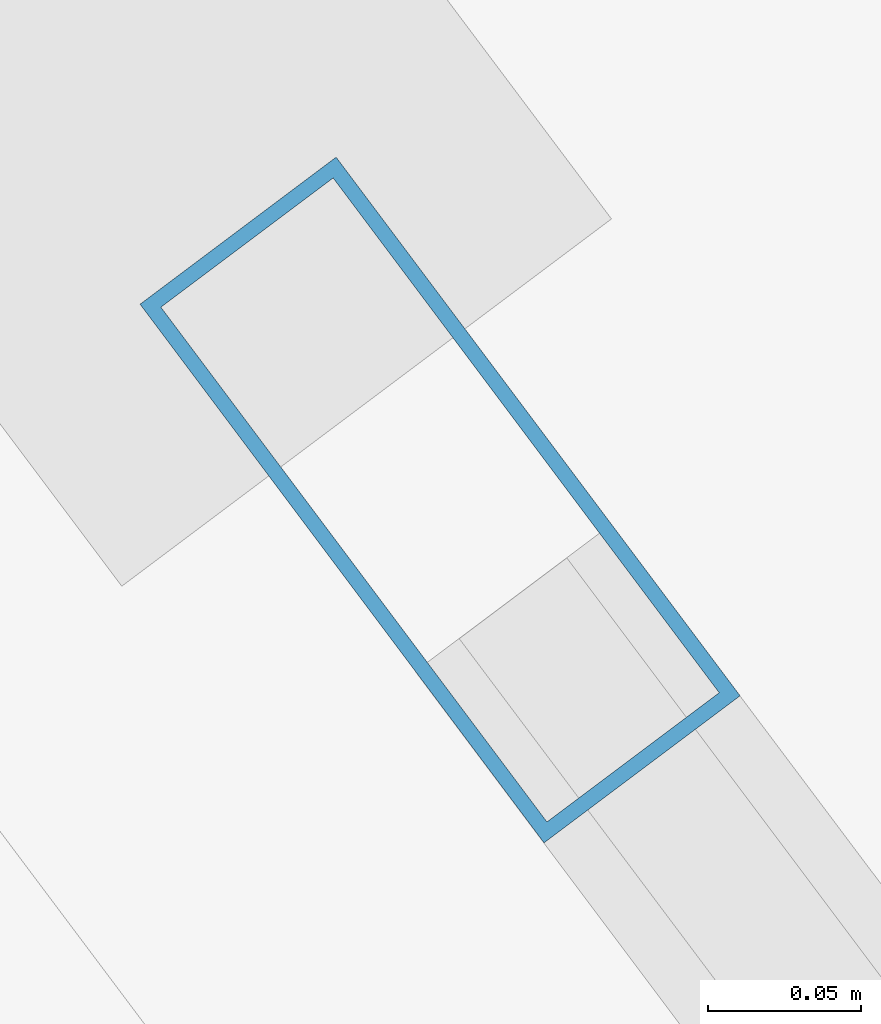
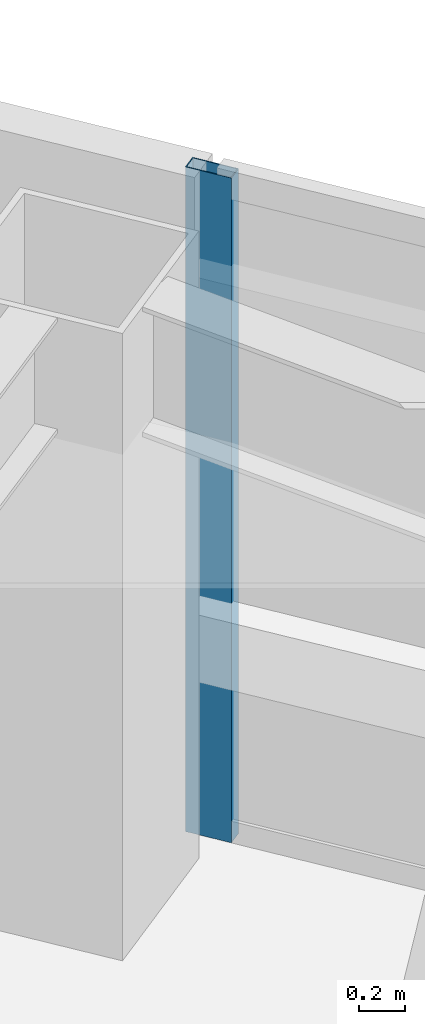
# One storey, part 32 of 46: 1 member, 1 element without a shape of its own.
"""IFC4 building model written with IfcOpenShell, lengths in metres."""

from ifc_helpers import new_model, si_unit, direction, frame, origin, origin_2d, place, context, subcontext, project, spatial, hollow_rectangle, extrude, material, material_profile, profile_set, type_object, element, aggregate, save


model = new_model("IFC4")

# Units and contexts
model_context = context("Model", 3, precision=1e-05, world=origin(), true_north=direction((0.0, 1.0)))
body_context = subcontext(model_context, "Body", "Model", "MODEL_VIEW")
ifc_project = project(units=[si_unit("LENGTHUNIT", "METRE"), si_unit("AREAUNIT", "SQUARE_METRE"), si_unit("VOLUMEUNIT", "CUBIC_METRE"), si_unit("PLANEANGLEUNIT", "RADIAN"), si_unit("MASSUNIT", "GRAM", prefix="KILO")], contexts=[model_context])

# Site, building, storey
site_placement = place(None, origin())
site = spatial("IfcSite", under=ifc_project, at=site_placement, CompositionType="ELEMENT")
building_placement = place(site_placement, origin())
building = spatial("IfcBuilding", under=site, at=building_placement, Name="Tashvorn Skyway Center", CompositionType="ELEMENT")
storey_placement = place(building_placement, frame((0.0, 0.0, 99.14990234375)))
storey = spatial("IfcBuildingStorey", under=building, at=storey_placement, Name="L26", CompositionType="ELEMENT", Elevation=99.14990234375)

# Curtain wall, member
ifc_material = material(Name="Thermally broken bronze-anodized aluminium 6063-T6", Category="aluminium")
curtain_wall_type = type_object("IfcCurtainWallType", Name="CW-CW-Z2", PredefinedType="NOTDEFINED", material=ifc_material)
curtain_wall_placement = place(storey_placement, origin())
curtain_wall = element("IfcCurtainWall", 1, at=curtain_wall_placement, inside=storey, type_object=curtain_wall_type, Name="Tower 2 L26 East Unitised Curtain Wall Glazing Group 3", PredefinedType="NOTDEFINED")
ifc_material_profile = material_profile(ifc_material, hollow_rectangle(XDim=0.080078125, YDim=0.219970703125, WallThickness=0.0048828125, at=origin_2d()), Name="ALU-MULL-80x220")
ifc_profile_set = profile_set([ifc_material_profile], Name="Thermally broken bronze-anodized aluminium 6063-T6")
member_type = type_object("IfcMemberType", Name="CWM-CW-Z2", PredefinedType="MULLION", material=ifc_profile_set)
member_placement = place(storey_placement, frame((133.384033203125, 39.2880859375, 0.0), z_axis=(0.0, 0.0, 1.0), x_axis=(0.799999999998, 0.600000000002, 0.0)))
member = element("IfcMember", 2, at=member_placement, type_object=member_type, Name="CW-Z2 mullion 1", PredefinedType="MULLION", context=body_context, shape_type="SweptSolid", body=[
    extrude(hollow_rectangle(XDim=0.080078125, YDim=0.219970703125, WallThickness=0.0048828125, at=origin_2d()), origin(), (0.0, 0.0, 1.0), 3.550048828125),
])
aggregate(curtain_wall, [member])

save(model, "model.ifc")
